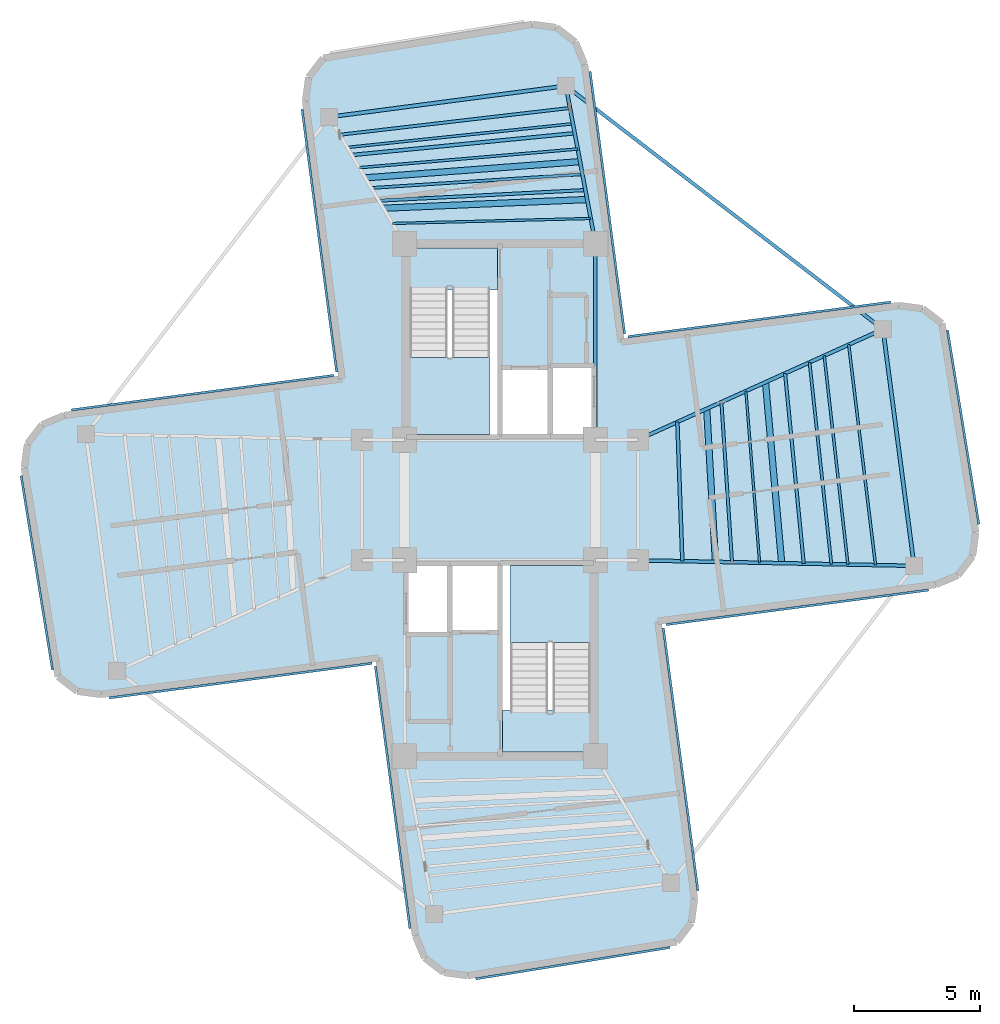
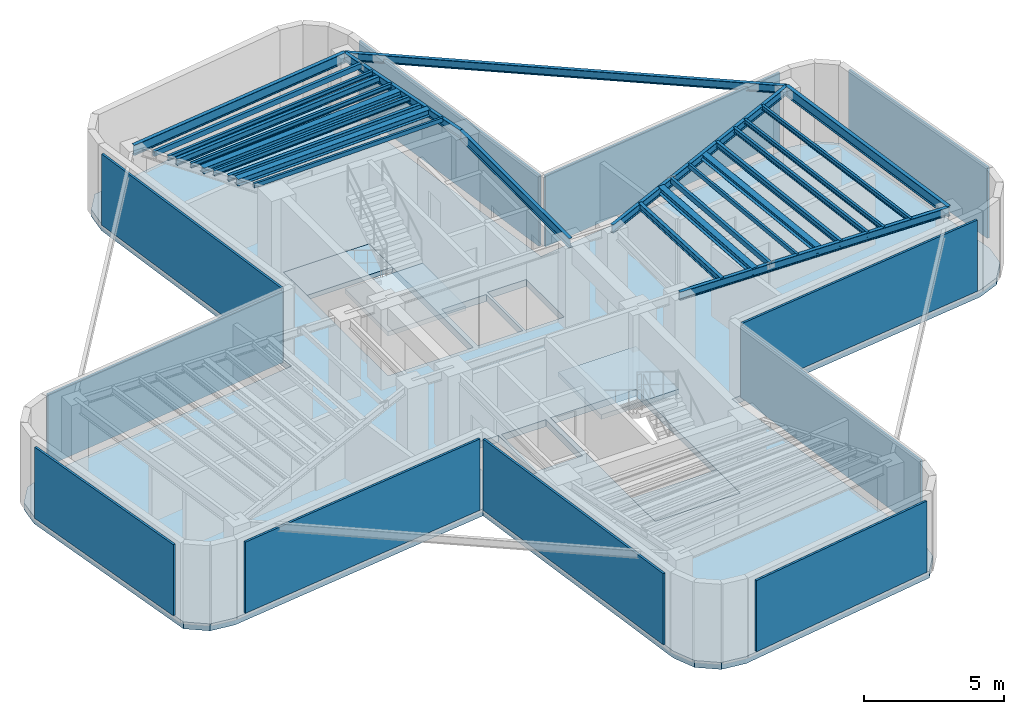
# One storey, part 2 of 6: 25 beams, 11 plates, 5 slabs, 2 elements without a shape of their own.
"""IFC4 building model written with IfcOpenShell, lengths in metres."""

from ifc_helpers import new_model, si_unit, direction, frame, origin, origin_2d, place, context, subcontext, project, spatial, polyline, rectangle, hollow_rectangle, i_section, outline, extrude, source, transform, mapped, material, layer, layer_set, material_profile, profile_set, type_object, element, aggregate, save


model = new_model("IFC4")

# Units and contexts
model_context = context("Model", 3, precision=1e-05, world=origin(), true_north=direction((0.0, 1.0)))
body_context = subcontext(model_context, "Body", "Model", "MODEL_VIEW")
ifc_project = project(units=[si_unit("LENGTHUNIT", "METRE"), si_unit("AREAUNIT", "SQUARE_METRE"), si_unit("VOLUMEUNIT", "CUBIC_METRE"), si_unit("PLANEANGLEUNIT", "RADIAN"), si_unit("MASSUNIT", "GRAM", prefix="KILO")], contexts=[model_context])

# Site, building, storey
site_placement = place(None, origin())
site = spatial("IfcSite", under=ifc_project, at=site_placement, CompositionType="ELEMENT")
building_placement = place(site_placement, origin())
building = spatial("IfcBuilding", under=site, at=building_placement, Name="Sahyath Konkavel Grand Hotel", CompositionType="ELEMENT")
storey_placement = place(building_placement, frame((0.0, 0.0, 292.699951171875)))
storey = spatial("IfcBuildingStorey", under=building, at=storey_placement, Name="L81", CompositionType="ELEMENT", Elevation=292.699951171875)

# Beams
ifc_material_1 = material(Name="Steel E350", Category="steel")
ifc_material_profile_1 = material_profile(ifc_material_1, i_section(OverallWidth=0.139892578125, OverallDepth=0.39990234375, WebThickness=0.0087890625, FlangeThickness=0.01611328125, FilletRadius=0.013916015625, at=origin_2d()), Name="ISMB 400")
ifc_profile_set_1 = profile_set([ifc_material_profile_1], Name="Steel E350")
beam_type_1 = type_object("IfcBeamType", Name="BM-ISMB400", PredefinedType="BEAM", material=ifc_profile_set_1)
shared_shape_1 = source(origin(), body_context, "Body", "SweptSolid", [
    extrude(i_section(OverallWidth=0.139892578125, OverallDepth=0.39990234375, WebThickness=0.0087890625, FlangeThickness=0.01611328125, FilletRadius=0.013916015625, at=origin_2d()), origin(), (0.0, 0.0, 1.0), 7.800048828125),
])
beam_1_placement = place(storey_placement, frame((3.800048828125, 2.39990234375, 3.300048828125), z_axis=(0.0, 1.0, 0.0), x_axis=(-1.0, 0.0, 0.0)))
element("IfcBeam", 1, at=beam_1_placement, inside=storey, type_object=beam_type_1, Name="str:bm:L81:NC-E", PredefinedType="BEAM", context=body_context, shape_type="MappedRepresentation", body=[
    mapped(shared_shape_1, transform((0.0, 0.0, 0.0), scale=1.0)),
])
ifc_material_profile_2 = material_profile(ifc_material_1, i_section(OverallWidth=0.14990234375, OverallDepth=0.449951171875, WebThickness=0.009521484375, FlangeThickness=0.017333984375, FilletRadius=0.014892578125, at=origin_2d()), Name="ISMB 450")
ifc_profile_set_2 = profile_set([ifc_material_profile_2], Name="Steel E350")
beam_type_2 = type_object("IfcBeamType", Name="BM-ISMB450", PredefinedType="BEAM", material=ifc_profile_set_2)
shared_shape_2 = source(origin(), body_context, "Body", "SweptSolid", [
    extrude(i_section(OverallWidth=0.14990234375, OverallDepth=0.449951171875, WebThickness=0.009521484375, FlangeThickness=0.017333984375, FilletRadius=0.014892578125, at=origin_2d()), origin(), (0.0, 0.0, 1.0), 9.5),
])
for number, where, z_axis, x_axis, name in (
    (2, (16.483154296875, -2.620849609375, 3.275146484375), (-0.130525643939, 0.991444933556, 0.0), (-0.991444933556, -0.130525643939, 0.0), "L81 Wing Tip Edge Beam E"),
    (3, (2.620849609375, 16.483154296875, 3.275146484375), (-0.991444933556, -0.130525643939, 0.0), (0.130525643939, -0.991444933556, 0.0), "L81 Wing Tip Edge Beam N"),
):
    element("IfcBeam", number, at=place(storey_placement, frame(where, z_axis=z_axis, x_axis=x_axis)), inside=storey, type_object=beam_type_2, Name=name, PredefinedType="BEAM", context=body_context, shape_type="MappedRepresentation", body=[
        mapped(shared_shape_2, transform((0.0, 0.0, 0.0), scale=1.0)),
    ])
ifc_material_profile_3 = material_profile(ifc_material_1, i_section(OverallWidth=0.139892578125, OverallDepth=0.35009765625, WebThickness=0.008056640625, FlangeThickness=0.01416015625, FilletRadius=0.013916015625, at=origin_2d()), Name="ISMB 350")
ifc_profile_set_3 = profile_set([ifc_material_profile_3], Name="Steel E350")
beam_type_3 = type_object("IfcBeamType", Name="BM-ISMB350", PredefinedType="BEAM", material=ifc_profile_set_3)
shared_shape_3 = source(origin(), body_context, "Body", "SweptSolid", [
    extrude(i_section(OverallWidth=0.139892578125, OverallDepth=0.35009765625, WebThickness=0.008056640625, FlangeThickness=0.01416015625, FilletRadius=0.013916015625, at=origin_2d()), origin(), (0.0, 0.0, 1.0), 10.9853515625),
])
beam_2_placement = place(storey_placement, frame((5.5, -2.39990234375, 3.324951171875), z_axis=(0.999797716106, -0.020112853337, 0.0), x_axis=(0.020112853337, 0.999797716106, 0.0)))
element("IfcBeam", 4, at=beam_2_placement, inside=storey, type_object=beam_type_3, Name="L81 Cruciform Radial Girder EA", PredefinedType="BEAM", context=body_context, shape_type="MappedRepresentation", body=[
    mapped(shared_shape_3, transform((0.0, 0.0, 0.0), scale=1.0)),
])
shared_shape_4 = source(origin(), body_context, "Body", "SweptSolid", [
    extrude(i_section(OverallWidth=0.139892578125, OverallDepth=0.35009765625, WebThickness=0.008056640625, FlangeThickness=0.01416015625, FilletRadius=0.013916015625, at=origin_2d()), origin(), (0.0, 0.0, 1.0), 10.689697265625),
])
beam_3_placement = place(storey_placement, frame((5.5, 2.39990234375, 3.324951171875), z_axis=(0.911447410295, 0.411416599405, 0.0), x_axis=(-0.411416599405, 0.911447410295, 0.0)))
element("IfcBeam", 5, at=beam_3_placement, inside=storey, type_object=beam_type_3, Name="L81 Cruciform Radial Girder EB", PredefinedType="BEAM", context=body_context, shape_type="MappedRepresentation", body=[
    mapped(shared_shape_4, transform((0.0, 0.0, 0.0), scale=1.0)),
])
shared_shape_5 = source(origin(), body_context, "Body", "SweptSolid", [
    extrude(i_section(OverallWidth=0.139892578125, OverallDepth=0.35009765625, WebThickness=0.008056640625, FlangeThickness=0.01416015625, FilletRadius=0.013916015625, at=origin_2d()), origin(), (0.0, 0.0, 1.0), 6.392822265625),
])
beam_4_placement = place(storey_placement, frame((3.800048828125, 10.199951171875, 3.324951171875), z_axis=(-0.184454547999, 0.982841044993, 0.0), x_axis=(-0.982841044993, -0.184454547999, 0.0)))
element("IfcBeam", 6, at=beam_4_placement, inside=storey, type_object=beam_type_3, Name="L81 Cruciform Radial Girder NA", PredefinedType="BEAM", context=body_context, shape_type="MappedRepresentation", body=[
    mapped(shared_shape_5, transform((0.0, 0.0, 0.0), scale=1.0)),
])
shared_shape_6 = source(origin(), body_context, "Body", "SweptSolid", [
    extrude(i_section(OverallWidth=0.139892578125, OverallDepth=0.35009765625, WebThickness=0.008056640625, FlangeThickness=0.01416015625, FilletRadius=0.013916015625, at=origin_2d()), origin(), (0.0, 0.0, 1.0), 15.909912109375),
])
beam_5_placement = place(storey_placement, frame((15.2431640625, 6.7978515625, 3.324951171875), z_axis=(-0.79335758392, 0.608755898564, 0.0), x_axis=(-0.608755898564, -0.79335758392, 0.0)))
element("IfcBeam", 7, at=beam_5_placement, inside=storey, type_object=beam_type_3, Name="L81 Re-Entrant Tie Beam NE", PredefinedType="BEAM", context=body_context, shape_type="MappedRepresentation", body=[
    mapped(shared_shape_6, transform((0.0, 0.0, 0.0), scale=1.0)),
])
ifc_material_profile_4 = material_profile(ifc_material_1, i_section(OverallWidth=0.25, OverallDepth=0.300048828125, WebThickness=0.009521484375, FlangeThickness=0.010498046875, FilletRadius=0.010986328125, at=origin_2d()), Name="ISHB 300")
ifc_profile_set_4 = profile_set([ifc_material_profile_4], Name="Steel E350")
beam_type_4 = type_object("IfcBeamType", Name="BM-ISHB300", PredefinedType="BEAM", material=ifc_profile_set_4)
shared_shape_7 = source(origin(), body_context, "Body", "SweptSolid", [
    extrude(i_section(OverallWidth=0.25, OverallDepth=0.300048828125, WebThickness=0.009521484375, FlangeThickness=0.010498046875, FilletRadius=0.010986328125, at=origin_2d()), origin(), (0.0, 0.0, 1.0), 6.10302734375),
])
beam_6_placement = place(storey_placement, frame((8.5751953125, -2.4619140625, 3.35009765625), z_axis=(-0.056883465537, 0.99838082481, 0.0), x_axis=(-0.99838082481, -0.056883465537, 0.0)))
element("IfcBeam", 8, at=beam_6_placement, inside=storey, type_object=beam_type_4, Name="L81 Secondary Floor Beam E-1", PredefinedType="BEAM", context=body_context, shape_type="MappedRepresentation", body=[
    mapped(shared_shape_7, transform((0.0, 0.0, 0.0), scale=1.0)),
])
ifc_material_profile_5 = material_profile(ifc_material_1, i_section(OverallWidth=0.25, OverallDepth=0.25, WebThickness=0.0087890625, FlangeThickness=0.009765625, FilletRadius=0.010009765625, at=origin_2d()), Name="ISHB 250")
ifc_profile_set_5 = profile_set([ifc_material_profile_5], Name="Steel E350")
beam_type_5 = type_object("IfcBeamType", Name="BM-ISHB250", PredefinedType="BEAM", material=ifc_profile_set_5)
shared_shape_8 = source(origin(), body_context, "Body", "SweptSolid", [
    extrude(i_section(OverallWidth=0.25, OverallDepth=0.25, WebThickness=0.0087890625, FlangeThickness=0.009765625, FilletRadius=0.010009765625, at=origin_2d()), origin(), (0.0, 0.0, 1.0), 7.230712890625),
])
beam_7_placement = place(storey_placement, frame((11.211181640625, -2.514892578125, 3.375), z_axis=(-0.089171800482, 0.996016259907, 0.0), x_axis=(-0.996016259907, -0.089171800482, 0.0)))
element("IfcBeam", 9, at=beam_7_placement, inside=storey, type_object=beam_type_5, Name="L81 Secondary Floor Beam E-2", PredefinedType="BEAM", context=body_context, shape_type="MappedRepresentation", body=[
    mapped(shared_shape_8, transform((0.0, 0.0, 0.0), scale=1.0)),
])
ifc_material_profile_6 = material_profile(ifc_material_1, i_section(OverallWidth=0.10009765625, OverallDepth=0.199951171875, WebThickness=0.005615234375, FlangeThickness=0.0107421875, FilletRadius=0.010986328125, at=origin_2d()), Name="ISMB 200")
ifc_profile_set_6 = profile_set([ifc_material_profile_6], Name="Steel E350")
beam_type_6 = type_object("IfcBeamType", Name="BM-ISMB200", PredefinedType="BEAM", material=ifc_profile_set_6)
shared_shape_9 = source(origin(), body_context, "Body", "SweptSolid", [
    extrude(i_section(OverallWidth=0.10009765625, OverallDepth=0.199951171875, WebThickness=0.005615234375, FlangeThickness=0.0107421875, FilletRadius=0.010986328125, at=origin_2d()), origin(), (0.0, 0.0, 1.0), 8.36328125),
])
beam_8_placement = place(storey_placement, frame((13.84716796875, -2.56787109375, 3.400146484375), z_axis=(-0.112680437677, 0.99363127918, 0.0), x_axis=(-0.99363127918, -0.112680437677, 0.0)))
element("IfcBeam", 10, at=beam_8_placement, inside=storey, type_object=beam_type_6, Name="L81 Secondary Floor Beam E-3", PredefinedType="BEAM", context=body_context, shape_type="MappedRepresentation", body=[
    mapped(shared_shape_9, transform((0.0, 0.0, 0.0), scale=1.0)),
])
shared_shape_10 = source(origin(), body_context, "Body", "SweptSolid", [
    extrude(i_section(OverallWidth=0.25, OverallDepth=0.300048828125, WebThickness=0.009521484375, FlangeThickness=0.010498046875, FilletRadius=0.010986328125, at=origin_2d()), origin(), (0.0, 0.0, 1.0), 8.11669921875),
])
beam_9_placement = place(storey_placement, frame((3.469970703125, 11.959228515625, 3.35009765625), z_axis=(-0.999084879956, -0.042771516718, 0.0), x_axis=(0.042771516718, -0.999084879956, 0.0)))
element("IfcBeam", 11, at=beam_9_placement, inside=storey, type_object=beam_type_4, Name="L81 Secondary Floor Beam N-1", PredefinedType="BEAM", context=body_context, shape_type="MappedRepresentation", body=[
    mapped(shared_shape_10, transform((0.0, 0.0, 0.0), scale=1.0)),
])
shared_shape_11 = source(origin(), body_context, "Body", "SweptSolid", [
    extrude(i_section(OverallWidth=0.25, OverallDepth=0.25, WebThickness=0.0087890625, FlangeThickness=0.009765625, FilletRadius=0.010009765625, at=origin_2d()), origin(), (0.0, 0.0, 1.0), 8.570068359375),
])
beam_10_placement = place(storey_placement, frame((3.18701171875, 13.46728515625, 3.375), z_axis=(-0.997165854664, -0.075234688098, 0.0), x_axis=(0.075234688098, -0.997165854664, 0.0)))
element("IfcBeam", 12, at=beam_10_placement, inside=storey, type_object=beam_type_5, Name="L81 Secondary Floor Beam N-2", PredefinedType="BEAM", context=body_context, shape_type="MappedRepresentation", body=[
    mapped(shared_shape_11, transform((0.0, 0.0, 0.0), scale=1.0)),
])
shared_shape_12 = source(origin(), body_context, "Body", "SweptSolid", [
    extrude(i_section(OverallWidth=0.10009765625, OverallDepth=0.199951171875, WebThickness=0.005615234375, FlangeThickness=0.0107421875, FilletRadius=0.010986328125, at=origin_2d()), origin(), (0.0, 0.0, 1.0), 9.031494140625),
])
beam_11_placement = place(storey_placement, frame((2.90380859375, 14.97509765625, 3.400146484375), z_axis=(-0.994541240043, -0.104344246869, 0.0), x_axis=(0.104344246869, -0.994541240043, 0.0)))
element("IfcBeam", 13, at=beam_11_placement, inside=storey, type_object=beam_type_6, Name="L81 Secondary Floor Beam N-3", PredefinedType="BEAM", context=body_context, shape_type="MappedRepresentation", body=[
    mapped(shared_shape_12, transform((0.0, 0.0, 0.0), scale=1.0)),
])
ifc_material_profile_7 = material_profile(ifc_material_1, i_section(OverallWidth=0.139892578125, OverallDepth=0.27490234375, WebThickness=0.00634765625, FlangeThickness=0.0087890625, FilletRadius=0.012939453125, at=origin_2d()), Name="ISLB 275")
ifc_profile_set_7 = profile_set([ifc_material_profile_7], Name="Steel E350")
beam_type_7 = type_object("IfcBeamType", Name="BM-ISLB275", PredefinedType="BEAM", material=ifc_profile_set_7)
shared_shape_13 = source(origin(), body_context, "Body", "SweptSolid", [
    extrude(i_section(OverallWidth=0.139892578125, OverallDepth=0.27490234375, WebThickness=0.00634765625, FlangeThickness=0.0087890625, FilletRadius=0.012939453125, at=origin_2d()), origin(), (0.0, 0.0, 1.0), 5.54248046875),
])
beam_12_placement = place(storey_placement, frame((7.25732421875, -2.435302734375, 3.362548828125), z_axis=(-0.035812512973, 0.999358526213, 0.0), x_axis=(-0.999358526213, -0.035812512973, 0.0)))
element("IfcBeam", 14, at=beam_12_placement, inside=storey, type_object=beam_type_7, Name="L81 Composite Deck Sub-Beam E-1", PredefinedType="BEAM", context=body_context, shape_type="MappedRepresentation", body=[
    mapped(shared_shape_13, transform((0.0, 0.0, 0.0), scale=1.0)),
])
ifc_material_profile_8 = material_profile(ifc_material_1, hollow_rectangle(XDim=0.1201171875, YDim=0.219970703125, WallThickness=0.010009765625, at=origin_2d()), Name="RHS 220x120x10")
ifc_profile_set_8 = profile_set([ifc_material_profile_8], Name="Steel E350")
beam_type_8 = type_object("IfcBeamType", Name="BM-RHS220", PredefinedType="BEAM", material=ifc_profile_set_8)
shared_shape_14 = source(origin(), body_context, "Body", "SweptSolid", [
    extrude(hollow_rectangle(XDim=0.1201171875, YDim=0.219970703125, WallThickness=0.010009765625, at=origin_2d()), origin(), (0.0, 0.0, 1.0), 6.38427734375),
])
beam_13_placement = place(storey_placement, frame((9.234375, -2.47509765625, 3.39013671875), z_axis=(-0.066041839115, 0.997816854681, 0.0), x_axis=(-0.997816854681, -0.066041839115, 0.0)))
element("IfcBeam", 15, at=beam_13_placement, inside=storey, type_object=beam_type_8, Name="L81 Composite Deck Sub-Beam E-2", PredefinedType="BEAM", context=body_context, shape_type="MappedRepresentation", body=[
    mapped(shared_shape_14, transform((0.0, 0.0, 0.0), scale=1.0)),
])
ifc_material_profile_9 = material_profile(ifc_material_1, hollow_rectangle(XDim=0.090087890625, YDim=0.179931640625, WallThickness=0.008056640625, at=origin_2d()), Name="RHS 180x90x8")
ifc_profile_set_9 = profile_set([ifc_material_profile_9], Name="Steel E350")
beam_type_9 = type_object("IfcBeamType", Name="BM-RHS180", PredefinedType="BEAM", material=ifc_profile_set_9)
shared_shape_15 = source(origin(), body_context, "Body", "SweptSolid", [
    extrude(hollow_rectangle(XDim=0.090087890625, YDim=0.179931640625, WallThickness=0.008056640625, at=origin_2d()), origin(), (0.0, 0.0, 1.0), 6.85400390625),
])
beam_14_placement = place(storey_placement, frame((10.33251953125, -2.497314453125, 3.41015625), z_axis=(-0.079575331875, 0.996828855199, 0.0), x_axis=(-0.996828855199, -0.079575331875, 0.0)))
element("IfcBeam", 16, at=beam_14_placement, inside=storey, type_object=beam_type_9, Name="L81 Composite Deck Sub-Beam E-3", PredefinedType="BEAM", context=body_context, shape_type="MappedRepresentation", body=[
    mapped(shared_shape_15, transform((0.0, 0.0, 0.0), scale=1.0)),
])
ifc_material_profile_10 = material_profile(ifc_material_1, i_section(OverallWidth=0.125, OverallDepth=0.25, WebThickness=0.0068359375, FlangeThickness=0.012451171875, FilletRadius=0.012939453125, at=origin_2d()), Name="ISMB 250")
ifc_profile_set_10 = profile_set([ifc_material_profile_10], Name="Steel E350")
beam_type_10 = type_object("IfcBeamType", Name="BM-ISMB250", PredefinedType="BEAM", material=ifc_profile_set_10)
shared_shape_16 = source(origin(), body_context, "Body", "SweptSolid", [
    extrude(i_section(OverallWidth=0.125, OverallDepth=0.25, WebThickness=0.0068359375, FlangeThickness=0.012451171875, FilletRadius=0.012939453125, at=origin_2d()), origin(), (0.0, 0.0, 1.0), 7.607666015625),
])
beam_15_placement = place(storey_placement, frame((12.08984375, -2.532470703125, 3.375), z_axis=(-0.09778145576, 0.995207911398, 0.0), x_axis=(-0.995207911398, -0.09778145576, 0.0)))
element("IfcBeam", 17, at=beam_15_placement, inside=storey, type_object=beam_type_10, Name="L81 Composite Deck Sub-Beam E-4", PredefinedType="BEAM", context=body_context, shape_type="MappedRepresentation", body=[
    mapped(shared_shape_16, transform((0.0, 0.0, 0.0), scale=1.0)),
])
ifc_material_profile_11 = material_profile(ifc_material_1, i_section(OverallWidth=0.110107421875, OverallDepth=0.22509765625, WebThickness=0.006591796875, FlangeThickness=0.01171875, FilletRadius=0.011962890625, at=origin_2d()), Name="ISMB 225")
ifc_profile_set_11 = profile_set([ifc_material_profile_11], Name="Steel E350")
beam_type_11 = type_object("IfcBeamType", Name="BM-ISMB225", PredefinedType="BEAM", material=ifc_profile_set_11)
shared_shape_17 = source(origin(), body_context, "Body", "SweptSolid", [
    extrude(i_section(OverallWidth=0.110107421875, OverallDepth=0.22509765625, WebThickness=0.006591796875, FlangeThickness=0.01171875, FilletRadius=0.011962890625, at=origin_2d()), origin(), (0.0, 0.0, 1.0), 8.079833984375),
])
beam_16_placement = place(storey_placement, frame((13.188232421875, -2.5546875, 3.387451171875), z_axis=(-0.107416459243, 0.994214113903, 0.0), x_axis=(-0.994214113903, -0.107416459243, 0.0)))
element("IfcBeam", 18, at=beam_16_placement, inside=storey, type_object=beam_type_11, Name="L81 Composite Deck Sub-Beam E-5", PredefinedType="BEAM", context=body_context, shape_type="MappedRepresentation", body=[
    mapped(shared_shape_17, transform((0.0, 0.0, 0.0), scale=1.0)),
])
shared_shape_18 = source(origin(), body_context, "Body", "SweptSolid", [
    extrude(i_section(OverallWidth=0.10009765625, OverallDepth=0.199951171875, WebThickness=0.005615234375, FlangeThickness=0.0107421875, FilletRadius=0.010986328125, at=origin_2d()), origin(), (0.0, 0.0, 1.0), 8.8369140625),
])
beam_17_placement = place(storey_placement, frame((14.945556640625, -2.590087890625, 3.400146484375), z_axis=(-0.120677894343, 0.992691717411, 0.0), x_axis=(-0.992691717411, -0.120677894343, 0.0)))
element("IfcBeam", 19, at=beam_17_placement, inside=storey, type_object=beam_type_6, Name="L81 Composite Deck Sub-Beam E-6", PredefinedType="BEAM", context=body_context, shape_type="MappedRepresentation", body=[
    mapped(shared_shape_18, transform((0.0, 0.0, 0.0), scale=1.0)),
])
shared_shape_19 = source(origin(), body_context, "Body", "SweptSolid", [
    extrude(hollow_rectangle(XDim=0.090087890625, YDim=0.179931640625, WallThickness=0.008056640625, at=origin_2d()), origin(), (0.0, 0.0, 1.0), 7.893310546875),
])
beam_18_placement = place(storey_placement, frame((3.611328125, 11.205322265625, 3.41015625), z_axis=(-0.999683790083, -0.025145970772, 0.0), x_axis=(0.025145970772, -0.999683790083, 0.0)))
element("IfcBeam", 20, at=beam_18_placement, inside=storey, type_object=beam_type_9, Name="L81 Composite Deck Sub-Beam N-1", PredefinedType="BEAM", context=body_context, shape_type="MappedRepresentation", body=[
    mapped(shared_shape_19, transform((0.0, 0.0, 0.0), scale=1.0)),
])
shared_shape_20 = source(origin(), body_context, "Body", "SweptSolid", [
    extrude(i_section(OverallWidth=0.125, OverallDepth=0.25, WebThickness=0.0068359375, FlangeThickness=0.012451171875, FilletRadius=0.012939453125, at=origin_2d()), origin(), (0.0, 0.0, 1.0), 8.229248046875),
])
beam_19_placement = place(storey_placement, frame((3.399169921875, 12.336181640625, 3.375), z_axis=(-0.998688130329, -0.051205647534, 0.0), x_axis=(0.051205647534, -0.998688130329, 0.0)))
element("IfcBeam", 21, at=beam_19_placement, inside=storey, type_object=beam_type_10, Name="L81 Composite Deck Sub-Beam N-2", PredefinedType="BEAM", context=body_context, shape_type="MappedRepresentation", body=[
    mapped(shared_shape_20, transform((0.0, 0.0, 0.0), scale=1.0)),
])
shared_shape_21 = source(origin(), body_context, "Body", "SweptSolid", [
    extrude(i_section(OverallWidth=0.110107421875, OverallDepth=0.22509765625, WebThickness=0.006591796875, FlangeThickness=0.01171875, FilletRadius=0.011962890625, at=origin_2d()), origin(), (0.0, 0.0, 1.0), 8.41796875),
])
beam_20_placement = place(storey_placement, frame((3.28125, 12.964599609375, 3.387451171875), z_axis=(-0.997896901011, -0.064821099595, 0.0), x_axis=(0.064821099595, -0.997896901011, 0.0)))
element("IfcBeam", 22, at=beam_20_placement, inside=storey, type_object=beam_type_11, Name="L81 Composite Deck Sub-Beam N-3", PredefinedType="BEAM", context=body_context, shape_type="MappedRepresentation", body=[
    mapped(shared_shape_21, transform((0.0, 0.0, 0.0), scale=1.0)),
])
shared_shape_22 = source(origin(), body_context, "Body", "SweptSolid", [
    extrude(i_section(OverallWidth=0.10009765625, OverallDepth=0.199951171875, WebThickness=0.005615234375, FlangeThickness=0.0107421875, FilletRadius=0.010986328125, at=origin_2d()), origin(), (0.0, 0.0, 1.0), 8.722900390625),
])
beam_21_placement = place(storey_placement, frame((3.092529296875, 13.969970703125, 3.400146484375), z_axis=(-0.996354605721, -0.085308262542, 0.0), x_axis=(0.085308262542, -0.996354605721, 0.0)))
element("IfcBeam", 23, at=beam_21_placement, inside=storey, type_object=beam_type_6, Name="L81 Composite Deck Sub-Beam N-4", PredefinedType="BEAM", context=body_context, shape_type="MappedRepresentation", body=[
    mapped(shared_shape_22, transform((0.0, 0.0, 0.0), scale=1.0)),
])
shared_shape_23 = source(origin(), body_context, "Body", "SweptSolid", [
    extrude(i_section(OverallWidth=0.139892578125, OverallDepth=0.27490234375, WebThickness=0.00634765625, FlangeThickness=0.0087890625, FilletRadius=0.012939453125, at=origin_2d()), origin(), (0.0, 0.0, 1.0), 8.915283203125),
])
beam_22_placement = place(storey_placement, frame((2.974609375, 14.59814453125, 3.362548828125), z_axis=(-0.995250138935, -0.097350711092, 0.0), x_axis=(0.097350711092, -0.995250138935, 0.0)))
element("IfcBeam", 24, at=beam_22_placement, inside=storey, type_object=beam_type_7, Name="L81 Composite Deck Sub-Beam N-5", PredefinedType="BEAM", context=body_context, shape_type="MappedRepresentation", body=[
    mapped(shared_shape_23, transform((0.0, 0.0, 0.0), scale=1.0)),
])
shared_shape_24 = source(origin(), body_context, "Body", "SweptSolid", [
    extrude(hollow_rectangle(XDim=0.1201171875, YDim=0.219970703125, WallThickness=0.010009765625, at=origin_2d()), origin(), (0.0, 0.0, 1.0), 9.225830078125),
])
beam_23_placement = place(storey_placement, frame((2.785888671875, 15.603515625, 3.39013671875), z_axis=(-0.993297209422, -0.115588294191, 0.0), x_axis=(0.115588294191, -0.993297209422, 0.0)))
element("IfcBeam", 25, at=beam_23_placement, inside=storey, type_object=beam_type_8, Name="L81 Composite Deck Sub-Beam N-6", PredefinedType="BEAM", context=body_context, shape_type="MappedRepresentation", body=[
    mapped(shared_shape_24, transform((0.0, 0.0, 0.0), scale=1.0)),
])

# Slab
ifc_material_2 = material(Name="Concrete C40/50", Category="concrete")
ifc_layer_1 = layer(ifc_material_2, 0.300048828125)
ifc_layer_set_1 = layer_set([ifc_layer_1], Name="Concrete C40/50")
slab_type_1 = type_object("IfcSlabType", Name="SLB-300", PredefinedType="FLOOR", material=ifc_layer_set_1)
slab_1_placement = place(storey_placement, frame((0.0, 0.0, -0.300048828125)))
element("IfcSlab", 26, at=slab_1_placement, inside=storey, type_object=slab_type_1, Name="L81 Structural Floor Slab", PredefinedType="FLOOR", context=body_context, shape_type="SweptSolid", body=[
    extrude(outline(polyline([(6.282958984375, -4.821044921875), (17.337646484375, -3.36572265625), (18.222412109375, -2.999267578125), (18.805419921875, -2.239501953125), (18.930419921875, -1.2900390625), (17.5849609375, 7.030517578125), (16.8251953125, 7.61328125), (15.875732421875, 7.73828125), (4.821044921875, 6.282958984375), (3.36572265625, 17.337646484375), (2.999267578125, 18.222412109375), (2.239501953125, 18.805419921875), (1.2900390625, 18.930419921875), (-7.030517578125, 17.5849609375), (-7.61328125, 16.8251953125), (-7.73828125, 15.875732421875), (-6.282958984375, 4.821044921875), (-17.337646484375, 3.36572265625), (-18.222412109375, 2.999267578125), (-18.805419921875, 2.239501953125), (-18.930419921875, 1.2900390625), (-17.5849609375, -7.030517578125), (-16.8251953125, -7.61328125), (-15.875732421875, -7.73828125), (-4.821044921875, -6.282958984375), (-3.36572265625, -17.337646484375), (-2.999267578125, -18.222412109375), (-2.239501953125, -18.805419921875), (-1.2900390625, -18.930419921875), (7.030517578125, -17.5849609375), (7.61328125, -16.8251953125), (7.73828125, -15.875732421875), (6.282958984375, -4.821044921875)]), holes=[polyline([(-3.6201171875, 2.580078125), (-0.10009765625, 2.580078125), (-0.10009765625, 10.02001953125), (-3.6201171875, 10.02001953125), (-3.6201171875, 2.580078125)]), polyline([(0.10009765625, -10.02001953125), (3.6201171875, -10.02001953125), (3.6201171875, -2.580078125), (0.10009765625, -2.580078125), (0.10009765625, -10.02001953125)]), polyline([(0.10009765625, 2.60009765625), (1.949951171875, 2.60009765625), (1.949951171875, 5.199951171875), (0.10009765625, 5.199951171875), (0.10009765625, 2.60009765625)]), polyline([(-1.949951171875, -5.199951171875), (-0.10009765625, -5.199951171875), (-0.10009765625, -2.60009765625), (-1.949951171875, -2.60009765625), (-1.949951171875, -5.199951171875)]), polyline([(2.050048828125, 2.60009765625), (3.64990234375, 2.60009765625), (3.64990234375, 5.300048828125), (2.050048828125, 5.300048828125), (2.050048828125, 2.60009765625)]), polyline([(-3.64990234375, -5.300048828125), (-2.050048828125, -5.300048828125), (-2.050048828125, -2.60009765625), (-3.64990234375, -2.60009765625), (-3.64990234375, -5.300048828125)])]), origin(), (0.0, 0.0, 1.0), 0.300048828125),
])

# Stair, slab
stair_type = type_object("IfcStairType", Name="STR-ST16-380", PredefinedType="HALF_TURN_STAIR", material=ifc_material_2)
stair_1_placement = place(storey_placement, origin())
stair_1 = element("IfcStair", 27, at=stair_1_placement, inside=storey, type_object=stair_type, Name="L81 North Core Smokeproof Exit Stair ST-1", PredefinedType="HALF_TURN_STAIR")
ifc_layer_2 = layer(ifc_material_2, 0.199951171875)
ifc_layer_set_2 = layer_set([ifc_layer_2], Name="Concrete C40/50")
slab_type_2 = type_object("IfcSlabType", Name="SLB-STAIR-LND", PredefinedType="LANDING", material=ifc_layer_set_2)
slab_2_placement = place(storey_placement, frame((0.0, 0.0, 1.699951171875)))
slab_2 = element("IfcSlab", 28, at=slab_2_placement, type_object=slab_type_2, Name="ST-1 landing 1", PredefinedType="LANDING", context=body_context, shape_type="SweptSolid", body=[
    extrude(outline(polyline([(-3.60009765625, 5.679931640625), (-3.60009765625, 2.60009765625), (-0.39990234375, 2.60009765625), (-0.39990234375, 5.679931640625), (-3.60009765625, 5.679931640625)])), origin(), (0.0, 0.0, 1.0), 0.2001953125),
])
aggregate(stair_1, [slab_2])

stair_2_placement = place(storey_placement, origin())
stair_2 = element("IfcStair", 29, at=stair_2_placement, inside=storey, type_object=stair_type, Name="L81 South Core Smokeproof Exit Stair ST-2", PredefinedType="HALF_TURN_STAIR")
slab_3_placement = place(storey_placement, frame((0.0, 0.0, 1.699951171875)))
slab_3 = element("IfcSlab", 30, at=slab_3_placement, type_object=slab_type_2, Name="ST-2 landing 1", PredefinedType="LANDING", context=body_context, shape_type="SweptSolid", body=[
    extrude(outline(polyline([(3.60009765625, -5.679931640625), (3.60009765625, -2.60009765625), (0.39990234375, -2.60009765625), (0.39990234375, -5.679931640625), (3.60009765625, -5.679931640625)])), origin(), (0.0, 0.0, 1.0), 0.2001953125),
])
aggregate(stair_2, [slab_3])

# Slabs
slab_4_placement = place(storey_placement, frame((0.0, 0.0, -0.199951171875)))
element("IfcSlab", 31, at=slab_4_placement, inside=storey, type_object=slab_type_2, Name="L81 Stair ST-1 Floor Landing Slab", PredefinedType="LANDING", context=body_context, shape_type="SweptSolid", body=[
    extrude(outline(polyline([(-3.6201171875, 8.35009765625), (-0.10009765625, 8.35009765625), (-0.10009765625, 10.02001953125), (-3.6201171875, 10.02001953125), (-3.6201171875, 8.35009765625)])), origin(), (0.0, 0.0, 1.0), 0.199951171875),
])
slab_5_placement = place(storey_placement, frame((0.0, 0.0, -0.199951171875)))
element("IfcSlab", 32, at=slab_5_placement, inside=storey, type_object=slab_type_2, Name="L81 Stair ST-2 Floor Landing Slab", PredefinedType="LANDING", context=body_context, shape_type="SweptSolid", body=[
    extrude(outline(polyline([(0.10009765625, -10.02001953125), (3.6201171875, -10.02001953125), (3.6201171875, -8.35009765625), (0.10009765625, -8.35009765625), (0.10009765625, -10.02001953125)])), origin(), (0.0, 0.0, 1.0), 0.199951171875),
])

# Plates
ifc_material_3 = material(Name="Warm Buff Sandstone Perforated Cladding", Category="masonry")
ifc_layer_3 = layer(ifc_material_3, 0.090087890625)
ifc_layer_set_3 = layer_set([ifc_layer_3], Name="Warm Buff Sandstone Perforated Cladding")
plate_type = type_object("IfcPlateType", Name="PNL-CROWN-LOUVRE", PredefinedType="SHEET", material=ifc_layer_set_3)
shared_shape_25 = source(origin(), body_context, "Body", "SweptSolid", [
    extrude(rectangle(XDim=10.550048828125, YDim=0.090087890625, at=origin_2d()), origin(), (0.0, 0.0, 1.0), 3.10009765625),
])
for number, where, z_axis, x_axis, name in (
    (33, (11.833740234375, -4.27197265625, 0.199951171875), (0.0, 0.0, 1.0), (0.991444861374, 0.13052619222, 0.0), "L81 Crown Perforated Sandstone Louvre Screen 0"),
    (34, (10.324951171875, 7.189208984375, 0.199951171875), (0.0, 0.0, 1.0), (-0.991444861374, -0.13052619222, 0.0), "L81 Crown Perforated Sandstone Louvre Screen 7"),
    (35, (4.27197265625, 11.833740234375, 0.199951171875), (0.0, 0.0, 1.0), (-0.13052619222, 0.991444861374, 0.0), "L81 Crown Perforated Sandstone Louvre Screen 8"),
    (36, (-7.189208984375, 10.324951171875, 0.199951171875), (0.0, 0.0, 1.0), (0.13052619222, -0.991444861374, 0.0), "L81 Crown Perforated Sandstone Louvre Screen 15"),
    (37, (-11.833740234375, 4.27197265625, 0.199951171875), (0.0, 0.0, 1.0), (-0.991444861374, -0.13052619222, 0.0), "L81 Crown Perforated Sandstone Louvre Screen 16"),
    (38, (-10.324951171875, -7.189208984375, 0.199951171875), (0.0, 0.0, 1.0), (0.991444861374, 0.13052619222, 0.0), "L81 Crown Perforated Sandstone Louvre Screen 23"),
    (39, (-4.27197265625, -11.833740234375, 0.199951171875), (0.0, 0.0, 1.0), (0.13052619222, -0.991444861374, 0.0), "L81 Crown Perforated Sandstone Louvre Screen 24"),
    (40, (7.189208984375, -10.324951171875, 0.199951171875), (0.0, 0.0, 1.0), (-0.13052619222, 0.991444861374, 0.0), "L81 Crown Perforated Sandstone Louvre Screen 31"),
):
    element("IfcPlate", number, at=place(storey_placement, frame(where, z_axis=z_axis, x_axis=x_axis)), inside=storey, type_object=plate_type, Name=name, PredefinedType="SHEET", context=body_context, shape_type="MappedRepresentation", body=[
        mapped(shared_shape_25, transform((0.0, 0.0, 0.0), scale=1.0)),
    ])
shared_shape_26 = source(origin(), body_context, "Body", "SweptSolid", [
    extrude(rectangle(XDim=7.8291015625, YDim=0.090087890625, at=origin_2d()), origin(), (0.0, 0.0, 1.0), 3.10009765625),
])
for number, where, z_axis, x_axis, name in (
    (41, (18.435302734375, 2.89892578125, 0.199951171875), (0.0, 0.0, 1.0), (-0.159622750546, 0.987178088041, 0.0), "L81 Crown Perforated Sandstone Louvre Screen 4"),
    (42, (-18.435302734375, -2.89892578125, 0.199951171875), (0.0, 0.0, 1.0), (0.159622750546, -0.987178088041, 0.0), "L81 Crown Perforated Sandstone Louvre Screen 20"),
    (43, (2.89892578125, -18.435302734375, 0.199951171875), (0.0, 0.0, 1.0), (0.987178088041, 0.159622750546, 0.0), "L81 Crown Perforated Sandstone Louvre Screen 28"),
):
    element("IfcPlate", number, at=place(storey_placement, frame(where, z_axis=z_axis, x_axis=x_axis)), inside=storey, type_object=plate_type, Name=name, PredefinedType="SHEET", context=body_context, shape_type="MappedRepresentation", body=[
        mapped(shared_shape_26, transform((0.0, 0.0, 0.0), scale=1.0)),
    ])

save(model, "model.ifc")
